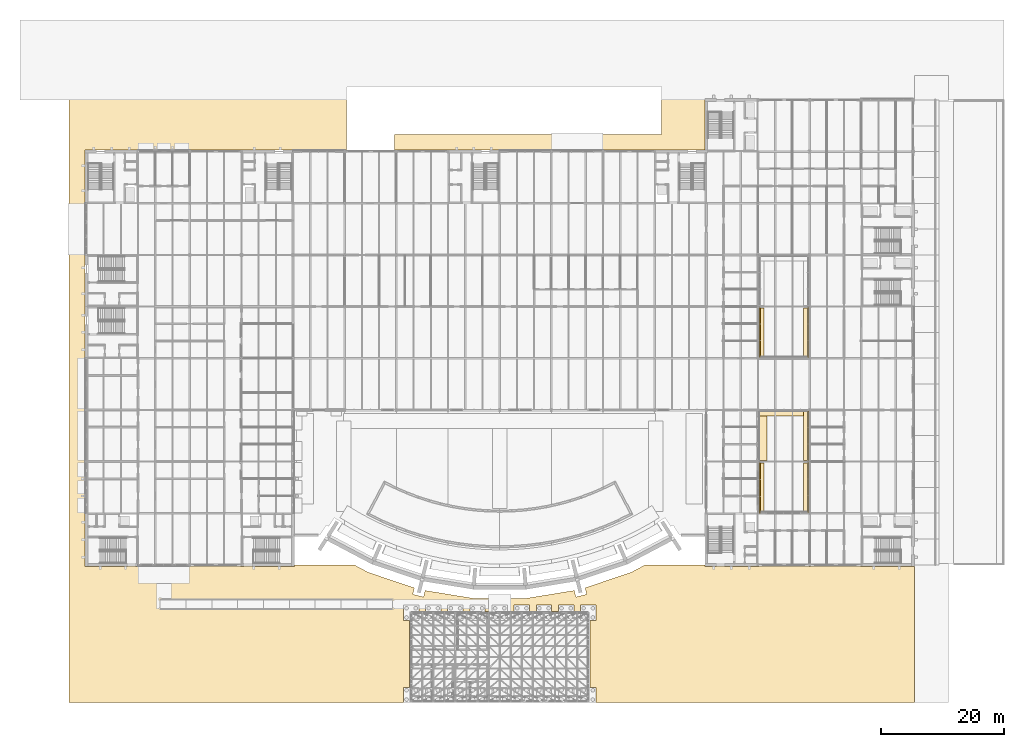
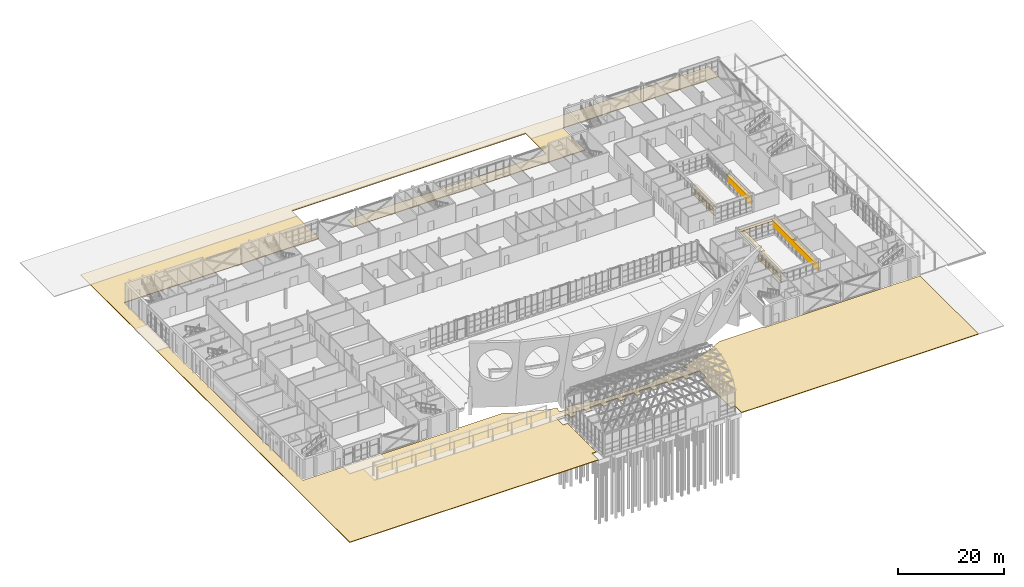
# One storey, part 112 of 116: 23 coverings.
"""IFC4 building model written with IfcOpenShell, lengths in metres."""

from ifc_helpers import new_model, si_unit, direction, frame, origin, origin_2d, place, context, subcontext, project, spatial, polyline, rectangle, outline, extrude, material, layer, layer_set, material_profile, profile_set, type_object, element, save


model = new_model("IFC4")

# Units and contexts
model_context = context("Model", 3, precision=1e-05, world=origin(), true_north=direction((0.0, 1.0)))
body_context = subcontext(model_context, "Body", "Model", "MODEL_VIEW")
ifc_project = project(units=[si_unit("LENGTHUNIT", "METRE"), si_unit("AREAUNIT", "SQUARE_METRE"), si_unit("VOLUMEUNIT", "CUBIC_METRE"), si_unit("PLANEANGLEUNIT", "RADIAN"), si_unit("MASSUNIT", "GRAM", prefix="KILO")], contexts=[model_context])

# Site, building, storey
site_placement = place(None, origin())
site = spatial("IfcSite", under=ifc_project, at=site_placement, CompositionType="ELEMENT")
building_placement = place(site_placement, origin())
building = spatial("IfcBuilding", under=site, at=building_placement, Name="Ardhachandra Cancer Care Centre", CompositionType="ELEMENT")
storey_placement = place(building_placement, origin())
storey = spatial("IfcBuildingStorey", under=building, at=storey_placement, Name="L00", CompositionType="ELEMENT", Elevation=0.0)

# Coverings
ifc_material_1 = material(Name="Anodised aluminium extrusion", Category="aluminium")
ifc_material_profile = material_profile(ifc_material_1, rectangle(XDim=0.199951171875, YDim=0.02001953125, at=origin_2d()), Name="Louvre blade 200 x 20")
ifc_profile_set = profile_set([ifc_material_profile], Name="Anodised aluminium extrusion")
covering_type_1 = type_object("IfcCoveringType", Name="Louvre blade 200 x 20", PredefinedType="CLADDING", material=ifc_profile_set)
for number, where, z_axis, x_axis, name in (
    (1, (120.2548828125, 37.830078125, 1.949951171875), (0.0, 1.0, 0.0), (-0.819152044289, 0.0, -0.573576436351), "Louvre blade over curtain wall L00/e/0120000_0037800 1"),
    (2, (120.2548828125, 37.830078125, 2.550048828125), (0.0, 1.0, 0.0), (-0.819152044289, 0.0, -0.573576436351), "Louvre blade over curtain wall L00/e/0120000_0037800 2"),
    (3, (120.2548828125, 37.830078125, 3.14990234375), (0.0, 1.0, 0.0), (-0.819152044289, 0.0, -0.573576436351), "Louvre blade over curtain wall L00/e/0120000_0037800 3"),
):
    element("IfcCovering", number, at=place(storey_placement, frame(where, z_axis=z_axis, x_axis=x_axis)), inside=storey, type_object=covering_type_1, Name=name, PredefinedType="CLADDING", context=body_context, shape_type="SweptSolid", body=[
        extrude(rectangle(XDim=0.199951171875, YDim=0.02001953125, at=origin_2d()), origin(), (0.0, 0.0, 1.0), 8.18994140625),
    ])
for number, where, z_axis, x_axis, name in (
    (4, (120.2548828125, 63.179931640625, 1.949951171875), (0.0, 1.0, 0.0), (-0.819152044289, 0.0, -0.573576436351), "Louvre blade over curtain wall L00/e/0120000_0063000 1"),
    (5, (120.2548828125, 63.179931640625, 2.550048828125), (0.0, 1.0, 0.0), (-0.819152044289, 0.0, -0.573576436351), "Louvre blade over curtain wall L00/e/0120000_0063000 2"),
    (6, (120.2548828125, 63.179931640625, 3.14990234375), (0.0, 1.0, 0.0), (-0.819152044289, 0.0, -0.573576436351), "Louvre blade over curtain wall L00/e/0120000_0063000 3"),
    (7, (128.14501953125, 37.97998046875, 1.949951171875), (0.0, 1.0, 0.0), (-0.819152044289, 0.0, 0.573576436351), "Louvre blade over curtain wall L00/w/0128400_0037800 1"),
    (8, (128.14501953125, 37.97998046875, 2.550048828125), (0.0, 1.0, 0.0), (-0.819152044289, 0.0, 0.573576436351), "Louvre blade over curtain wall L00/w/0128400_0037800 2"),
    (9, (128.14501953125, 37.97998046875, 3.14990234375), (0.0, 1.0, 0.0), (-0.819152044289, 0.0, 0.573576436351), "Louvre blade over curtain wall L00/w/0128400_0037800 3"),
    (10, (128.14501953125, 46.3798828125, 1.949951171875), (0.0, 1.0, 0.0), (-0.819152044289, 0.0, 0.573576436351), "Louvre blade over curtain wall L00/w/0128400_0046200 1"),
    (11, (128.14501953125, 46.3798828125, 2.550048828125), (0.0, 1.0, 0.0), (-0.819152044289, 0.0, 0.573576436351), "Louvre blade over curtain wall L00/w/0128400_0046200 2"),
    (12, (128.14501953125, 46.3798828125, 3.14990234375), (0.0, 1.0, 0.0), (-0.819152044289, 0.0, 0.573576436351), "Louvre blade over curtain wall L00/w/0128400_0046200 3"),
    (13, (128.14501953125, 63.179931640625, 1.949951171875), (0.0, 1.0, 0.0), (-0.819152044289, 0.0, 0.573576436351), "Louvre blade over curtain wall L00/w/0128400_0063000 1"),
    (14, (128.14501953125, 63.179931640625, 2.550048828125), (0.0, 1.0, 0.0), (-0.819152044289, 0.0, 0.573576436351), "Louvre blade over curtain wall L00/w/0128400_0063000 2"),
    (15, (128.14501953125, 63.179931640625, 3.14990234375), (0.0, 1.0, 0.0), (-0.819152044289, 0.0, 0.573576436351), "Louvre blade over curtain wall L00/w/0128400_0063000 3"),
):
    element("IfcCovering", number, at=place(storey_placement, frame(where, z_axis=z_axis, x_axis=x_axis)), inside=storey, type_object=covering_type_1, Name=name, PredefinedType="CLADDING", context=body_context, shape_type="SweptSolid", body=[
        extrude(rectangle(XDim=0.199951171875, YDim=0.02001953125, at=origin_2d()), origin(), (0.0, 0.0, 1.0), 8.0400390625),
    ])
ifc_material_2 = material(Name="Precast Concrete M25", Category="concrete")
ifc_layer_1 = layer(ifc_material_2, 0.1201171875)
ifc_layer_set_1 = layer_set([ifc_layer_1], Name="Precast Concrete M25")
covering_type_2 = type_object("IfcCoveringType", Name="Precast chajja 750 x 120", PredefinedType="USERDEFINED", material=ifc_layer_set_1)
covering_1_placement = place(storey_placement, frame((120.60009765625, 41.925048828125, 3.89990234375), z_axis=(0.0, 0.0, 1.0), x_axis=(0.0, 1.0, 0.0)))
element("IfcCovering", 16, at=covering_1_placement, inside=storey, type_object=covering_type_2, Name="Chajja over curtain wall L00/e/0120000_0037800", ObjectType="CHAJJA", PredefinedType="USERDEFINED", context=body_context, shape_type="SweptSolid", body=[
    extrude(rectangle(XDim=8.14990234375, YDim=0.75, at=origin_2d()), origin(), (0.0, 0.0, 1.0), 0.1201171875),
])
for number, where, z_axis, x_axis, name in (
    (17, (120.60009765625, 67.199951171875, 3.89990234375), (0.0, 0.0, 1.0), (0.0, 1.0, 0.0), "Chajja over curtain wall L00/e/0120000_0063000"),
    (18, (124.199951171875, 54.0, 3.89990234375), (0.0, 0.0, 1.0), (1.0, 0.0, 0.0), "Chajja over curtain wall L00/s/0120000_0054600"),
    (19, (127.800048828125, 42.0, 3.89990234375), (0.0, 0.0, 1.0), (0.0, 1.0, 0.0), "Chajja over curtain wall L00/w/0128400_0037800"),
    (20, (127.800048828125, 50.39990234375, 3.89990234375), (0.0, 0.0, 1.0), (0.0, 1.0, 0.0), "Chajja over curtain wall L00/w/0128400_0046200"),
    (21, (127.800048828125, 67.199951171875, 3.89990234375), (0.0, 0.0, 1.0), (0.0, 1.0, 0.0), "Chajja over curtain wall L00/w/0128400_0063000"),
):
    element("IfcCovering", number, at=place(storey_placement, frame(where, z_axis=z_axis, x_axis=x_axis)), inside=storey, type_object=covering_type_2, Name=name, ObjectType="CHAJJA", PredefinedType="USERDEFINED", context=body_context, shape_type="SweptSolid", body=[
        extrude(rectangle(XDim=8.0, YDim=0.75, at=origin_2d()), origin(), (0.0, 0.0, 1.0), 0.1201171875),
    ])
ifc_material_3 = material(Name="Precast Concrete M25", Category="concrete")
ifc_layer_2 = layer(ifc_material_3, 0.14990234375)
ifc_layer_set_2 = layer_set([ifc_layer_2], Name="Precast Concrete M25")
covering_type_3 = type_object("IfcCoveringType", Name="Precast sunshade band 1200 x 150", PredefinedType="CLADDING", material=ifc_layer_set_2)
covering_2_placement = place(storey_placement, frame((120.824951171875, 50.39990234375, 3.550048828125), z_axis=(0.0, 0.0, 1.0), x_axis=(0.0, 1.0, 0.0)))
element("IfcCovering", 22, at=covering_2_placement, inside=storey, type_object=covering_type_3, Name="Sunshade band L00 L00/e/0120000_0046200 1", PredefinedType="CLADDING", context=body_context, shape_type="SweptSolid", body=[
    extrude(rectangle(XDim=8.10009765625, YDim=1.199951171875, at=origin_2d()), origin(), (0.0, 0.0, 1.0), 0.14990234375),
])
ifc_material_4 = material(Name="Compacted sub-base, topsoil and turf")
ifc_layer_3 = layer(ifc_material_4, 0.14990234375)
ifc_layer_set_3 = layer_set([ifc_layer_3], Name="Compacted sub-base, topsoil and turf")
covering_type_4 = type_object("IfcCoveringType", Name="Site ground layer 150", PredefinedType="USERDEFINED", material=ifc_layer_set_3)
covering_3_placement = place(storey_placement, frame((0.0, 0.0, -0.300048828125)))
element("IfcCovering", 23, at=covering_3_placement, inside=storey, type_object=covering_type_4, Name="Site ground layer 1", ObjectType="GROUND", PredefinedType="USERDEFINED", context=body_context, shape_type="SweptSolid", body=[
    extrude(outline(polyline([(145.449951171875, 7.0), (145.449951171875, 29.14990234375), (111.35009765625, 29.14990234375), (111.35009765625, 29.39990234375), (101.669921875, 29.39990234375), (99.322998046875, 28.162841796875), (91.876708984375, 25.666748046875), (92.137451171875, 24.612548828125), (90.390380859375, 24.18017578125), (90.12939453125, 25.234375), (82.378173828125, 23.969970703125), (73.621826171875, 23.969970703125), (65.87060546875, 25.234375), (65.609619140625, 24.18017578125), (63.862548828125, 24.612548828125), (64.123291015625, 25.666748046875), (56.677001953125, 28.162841796875), (54.330078125, 29.39990234375), (44.64990234375, 29.39990234375), (44.64990234375, 29.14990234375), (10.550048828125, 29.14990234375), (10.550048828125, 96.85009765625), (53.10009765625, 96.85009765625), (53.10009765625, 106.89990234375), (53.1015625, 106.929443359375), (53.105712890625, 106.95849609375), (53.113037109375, 106.987060546875), (53.122802734375, 107.014892578125), (53.135498046875, 107.04150390625), (53.150634765625, 107.066650390625), (53.168212890625, 107.09033203125), (53.18798828125, 107.112060546875), (53.209716796875, 107.1318359375), (53.2333984375, 107.1494140625), (53.258544921875, 107.16455078125), (53.28515625, 107.17724609375), (53.31298828125, 107.18701171875), (53.341552734375, 107.1943359375), (53.37060546875, 107.198486328125), (53.39990234375, 107.199951171875), (104.300048828125, 107.199951171875), (104.300048828125, 99.39990234375), (60.89990234375, 99.39990234375), (60.89990234375, 96.85009765625), (111.35009765625, 96.85009765625), (111.35009765625, 105.25), (145.449951171875, 105.25), (145.449951171875, 109.0), (8.0, 109.0), (8.0, 7.0), (62.35009765625, 7.0), (62.35009765625, 9.5), (63.300048828125, 9.5), (63.300048828125, 20.35009765625), (62.35009765625, 20.35009765625), (62.35009765625, 22.85009765625), (64.85009765625, 22.85009765625), (64.85009765625, 21.85009765625), (65.949951171875, 21.85009765625), (65.949951171875, 22.85009765625), (68.449951171875, 22.85009765625), (68.449951171875, 21.85009765625), (69.550048828125, 21.85009765625), (69.550048828125, 22.85009765625), (72.050048828125, 22.85009765625), (72.050048828125, 21.85009765625), (73.14990234375, 21.85009765625), (73.14990234375, 22.85009765625), (75.64990234375, 22.85009765625), (75.64990234375, 21.85009765625), (76.75, 21.85009765625), (76.75, 22.85009765625), (79.25, 22.85009765625), (79.25, 21.85009765625), (80.35009765625, 21.85009765625), (80.35009765625, 22.85009765625), (82.85009765625, 22.85009765625), (82.85009765625, 21.85009765625), (83.949951171875, 21.85009765625), (83.949951171875, 22.85009765625), (86.449951171875, 22.85009765625), (86.449951171875, 21.85009765625), (87.550048828125, 21.85009765625), (87.550048828125, 22.85009765625), (90.050048828125, 22.85009765625), (90.050048828125, 21.85009765625), (91.14990234375, 21.85009765625), (91.14990234375, 22.85009765625), (93.64990234375, 22.85009765625), (93.64990234375, 20.35009765625), (92.699951171875, 20.35009765625), (92.699951171875, 9.5), (93.64990234375, 9.5), (93.64990234375, 7.0), (145.449951171875, 7.0)])), origin(), (0.0, 0.0, 1.0), 0.150146484375),
])

save(model, "model.ifc")
